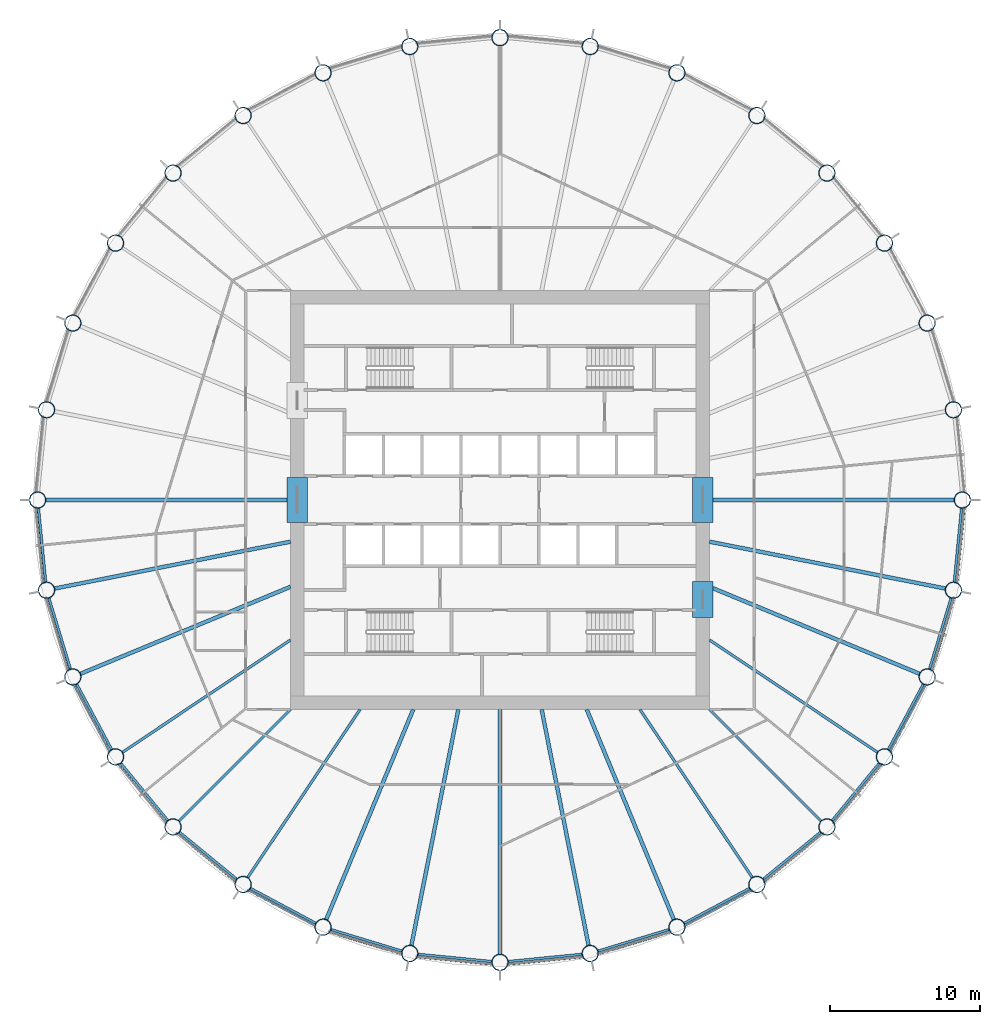
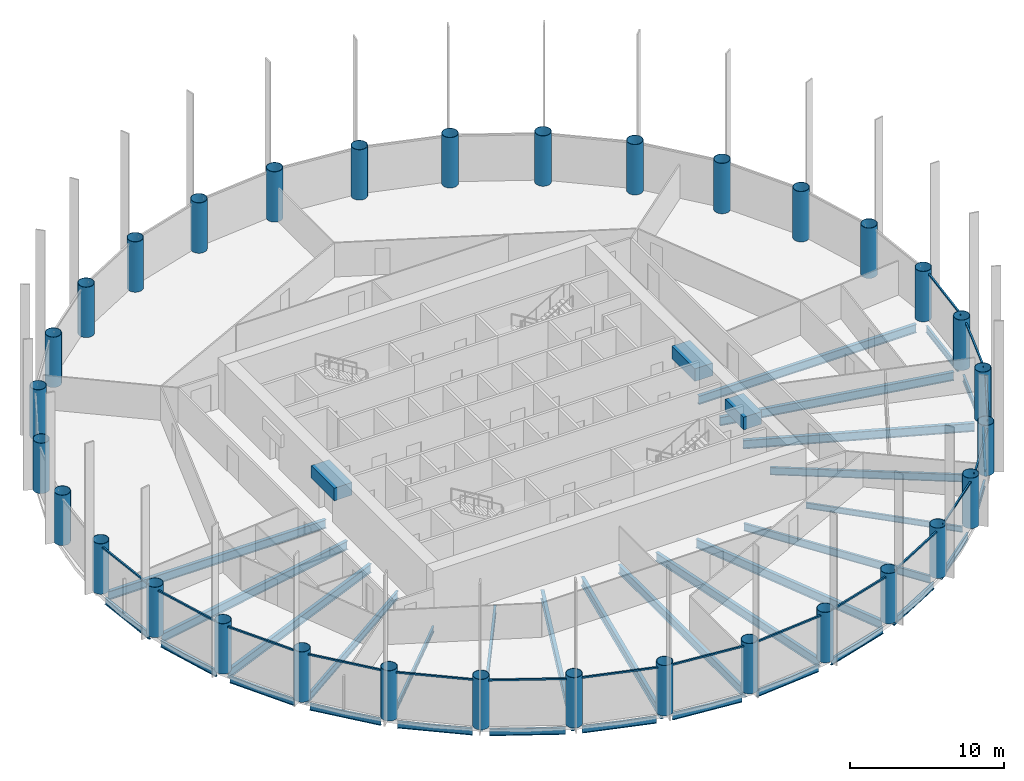
# One storey, part 1 of 8: 36 beams, 32 columns, 16 members, 16 elements without a shape of their own.
"""IFC4 building model written with IfcOpenShell, lengths in metres."""

from ifc_helpers import new_model, si_unit, direction, frame, origin, origin_2d, place, context, subcontext, project, spatial, rectangle, hollow_circle, i_section, extrude, material, material_profile, profile_set, type_object, element, aggregate, save


model = new_model("IFC4")

# Units and contexts
model_context = context("Model", 3, precision=1e-05, world=origin(), true_north=direction((0.0, 1.0)))
body_context = subcontext(model_context, "Body", "Model", "MODEL_VIEW")
ifc_project = project(units=[si_unit("LENGTHUNIT", "METRE"), si_unit("AREAUNIT", "SQUARE_METRE"), si_unit("VOLUMEUNIT", "CUBIC_METRE"), si_unit("PLANEANGLEUNIT", "RADIAN"), si_unit("MASSUNIT", "GRAM", prefix="KILO")], contexts=[model_context])

# Site, building, storey
site_placement = place(None, origin())
site = spatial("IfcSite", under=ifc_project, at=site_placement, CompositionType="ELEMENT")
building_placement = place(site_placement, origin())
building = spatial("IfcBuilding", under=site, at=building_placement, Name="Corvane Civic Tower", CompositionType="ELEMENT")
storey_placement = place(building_placement, frame((0.0, 0.0, 176.0)))
storey = spatial("IfcBuildingStorey", under=building, at=storey_placement, Name="L41", CompositionType="ELEMENT", Elevation=176.0)

# Columns
ifc_material_1 = material(Name="Steel ASTM A572 Gr 50", Category="steel")
ifc_material_profile_1 = material_profile(ifc_material_1, hollow_circle(Radius=0.550048828125, WallThickness=0.031982421875, at=origin_2d()), Name="CHS1100X32")
ifc_profile_set_1 = profile_set([ifc_material_profile_1], Name="Steel ASTM A572 Gr 50")
column_type = type_object("IfcColumnType", Name="COMPOSITE COLUMN CHS1100X32", PredefinedType="COLUMN", material=ifc_profile_set_1)
for number, where, z_axis, x_axis, name in (
    (1, (0.0, 30.89990234375, 0.0), (0.0, 0.0, 1.0), (1.0, 0.0, 0.0), "COL-L41-C01"),
    (2, (6.0283203125, 30.30615234375, 0.0), (0.0, 0.0, 1.0), (1.0, 0.0, 0.0), "COL-L41-C02"),
    (3, (11.824951171875, 28.5478515625, 0.0), (0.0, 0.0, 1.0), (1.0, 0.0, 0.0), "COL-L41-C03"),
    (4, (17.167236328125, 25.6923828125, 0.0), (0.0, 0.0, 1.0), (1.0, 0.0, 0.0), "COL-L41-C04"),
    (5, (21.849609375, 21.849609375, 0.0), (0.0, 0.0, 1.0), (1.0, 0.0, 0.0), "COL-L41-C05"),
    (6, (25.6923828125, 17.167236328125, 0.0), (0.0, 0.0, 1.0), (1.0, 0.0, 0.0), "COL-L41-C06"),
    (7, (28.5478515625, 11.824951171875, 0.0), (0.0, 0.0, 1.0), (1.0, 0.0, 0.0), "COL-L41-C07"),
    (8, (30.30615234375, 6.0283203125, 0.0), (0.0, 0.0, 1.0), (1.0, 0.0, 0.0), "COL-L41-C08"),
    (9, (30.89990234375, 0.0, 0.0), (0.0, 0.0, 1.0), (1.0, 0.0, 0.0), "COL-L41-C09"),
    (10, (30.30615234375, -6.0283203125, 0.0), (0.0, 0.0, 1.0), (1.0, 0.0, 0.0), "COL-L41-C10"),
    (11, (28.5478515625, -11.824951171875, 0.0), (0.0, 0.0, 1.0), (1.0, 0.0, 0.0), "COL-L41-C11"),
    (12, (25.6923828125, -17.167236328125, 0.0), (0.0, 0.0, 1.0), (1.0, 0.0, 0.0), "COL-L41-C12"),
    (13, (21.849609375, -21.849609375, 0.0), (0.0, 0.0, 1.0), (1.0, 0.0, 0.0), "COL-L41-C13"),
    (14, (17.167236328125, -25.6923828125, 0.0), (0.0, 0.0, 1.0), (1.0, 0.0, 0.0), "COL-L41-C14"),
    (15, (11.824951171875, -28.5478515625, 0.0), (0.0, 0.0, 1.0), (1.0, 0.0, 0.0), "COL-L41-C15"),
    (16, (6.0283203125, -30.30615234375, 0.0), (0.0, 0.0, 1.0), (1.0, 0.0, 0.0), "COL-L41-C16"),
    (17, (0.0, -30.89990234375, 0.0), (0.0, 0.0, 1.0), (1.0, 0.0, 0.0), "COL-L41-C17"),
    (18, (-6.0283203125, -30.30615234375, 0.0), (0.0, 0.0, 1.0), (1.0, 0.0, 0.0), "COL-L41-C18"),
    (19, (-11.824951171875, -28.5478515625, 0.0), (0.0, 0.0, 1.0), (1.0, 0.0, 0.0), "COL-L41-C19"),
    (20, (-17.167236328125, -25.6923828125, 0.0), (0.0, 0.0, 1.0), (1.0, 0.0, 0.0), "COL-L41-C20"),
    (21, (-21.849609375, -21.849609375, 0.0), (0.0, 0.0, 1.0), (1.0, 0.0, 0.0), "COL-L41-C21"),
    (22, (-25.6923828125, -17.167236328125, 0.0), (0.0, 0.0, 1.0), (1.0, 0.0, 0.0), "COL-L41-C22"),
    (23, (-28.5478515625, -11.824951171875, 0.0), (0.0, 0.0, 1.0), (1.0, 0.0, 0.0), "COL-L41-C23"),
    (24, (-30.30615234375, -6.0283203125, 0.0), (0.0, 0.0, 1.0), (1.0, 0.0, 0.0), "COL-L41-C24"),
    (25, (-30.89990234375, 0.0, 0.0), (0.0, 0.0, 1.0), (1.0, 0.0, 0.0), "COL-L41-C25"),
    (26, (-30.30615234375, 6.0283203125, 0.0), (0.0, 0.0, 1.0), (1.0, 0.0, 0.0), "COL-L41-C26"),
    (27, (-28.5478515625, 11.824951171875, 0.0), (0.0, 0.0, 1.0), (1.0, 0.0, 0.0), "COL-L41-C27"),
    (28, (-25.6923828125, 17.167236328125, 0.0), (0.0, 0.0, 1.0), (1.0, 0.0, 0.0), "COL-L41-C28"),
    (29, (-21.849609375, 21.849609375, 0.0), (0.0, 0.0, 1.0), (1.0, 0.0, 0.0), "COL-L41-C29"),
    (30, (-17.167236328125, 25.6923828125, 0.0), (0.0, 0.0, 1.0), (1.0, 0.0, 0.0), "COL-L41-C30"),
    (31, (-11.824951171875, 28.5478515625, 0.0), (0.0, 0.0, 1.0), (1.0, 0.0, 0.0), "COL-L41-C31"),
    (32, (-6.0283203125, 30.30615234375, 0.0), (0.0, 0.0, 1.0), (1.0, 0.0, 0.0), "COL-L41-C32"),
):
    element("IfcColumn", number, at=place(storey_placement, frame(where, z_axis=z_axis, x_axis=x_axis)), inside=storey, type_object=column_type, Name=name, PredefinedType="COLUMN", context=body_context, shape_type="SweptSolid", body=[
        extrude(hollow_circle(Radius=0.550048828125, WallThickness=0.031982421875, at=origin_2d()), origin(), (0.0, 0.0, 1.0), 4.0),
    ])

# Beams
ifc_material_2 = material(Name="Concrete C60/75", Category="concrete")
ifc_material_profile_2 = material_profile(ifc_material_2, rectangle(XDim=1.35009765625, YDim=1.0, at=origin_2d()), Name="COUPLING BEAM 1350X1000")
ifc_profile_set_2 = profile_set([ifc_material_profile_2], Name="Concrete C60/75")
beam_type_1 = type_object("IfcBeamType", Name="COUPLING BEAM COUPLING BEAM 1350X1000", PredefinedType="BEAM", material=ifc_profile_set_2)
for number, where, z_axis, x_axis, name in (
    (33, (-13.550048828125, -1.5, 2.60009765625), (0.0, 1.0, 0.0), (-1.0, 0.0, 0.0), "BM-L41-cpl-CW-LW"),
    (34, (13.550048828125, -1.5, 2.60009765625), (0.0, 1.0, 0.0), (-1.0, 0.0, 0.0), "BM-L41-cpl-CW-LE"),
):
    element("IfcBeam", number, at=place(storey_placement, frame(where, z_axis=z_axis, x_axis=x_axis)), inside=storey, type_object=beam_type_1, Name=name, PredefinedType="BEAM", context=body_context, shape_type="SweptSolid", body=[
        extrude(rectangle(XDim=1.35009765625, YDim=1.0, at=origin_2d()), origin(), (0.0, 0.0, 1.0), 3.0),
    ])
beam_1_placement = place(storey_placement, frame((13.550048828125, -7.85009765625, 2.60009765625), z_axis=(0.0, 1.0, 0.0), x_axis=(-1.0, 0.0, 0.0)))
element("IfcBeam", 35, at=beam_1_placement, inside=storey, type_object=beam_type_1, Name="BM-L41-cpl-CW-ES", PredefinedType="BEAM", context=body_context, shape_type="SweptSolid", body=[
    extrude(rectangle(XDim=1.35009765625, YDim=1.0, at=origin_2d()), origin(), (0.0, 0.0, 1.0), 2.400146484375),
])
ifc_material_3 = material(Name="Steel ASTM A992 Gr 50", Category="steel")
ifc_material_profile_3 = material_profile(ifc_material_3, i_section(OverallWidth=0.165771484375, OverallDepth=0.5283203125, WebThickness=0.009765625, FlangeThickness=0.013671875, at=origin_2d()), Name="W21X50")
ifc_profile_set_3 = profile_set([ifc_material_profile_3], Name="Steel ASTM A992 Gr 50")
beam_type_2 = type_object("IfcBeamType", Name="EDGE BEAM W21X50", PredefinedType="BEAM", material=ifc_profile_set_3)
beam_2_placement = place(storey_placement, frame((30.845947265625, -0.54736328125, -0.564208984375), z_axis=(-0.09800181167, -0.995186236294, 0.0), x_axis=(0.995186236294, -0.09800181167, 0.0)))
element("IfcBeam", 36, at=beam_2_placement, inside=storey, type_object=beam_type_2, Name="BM-L41-E09", PredefinedType="BEAM", context=body_context, shape_type="SweptSolid", body=[
    extrude(i_section(OverallWidth=0.165771484375, OverallDepth=0.5283203125, WebThickness=0.009765625, FlangeThickness=0.013671875, at=origin_2d()), origin(), (0.0, 0.0, 1.0), 4.95751953125),
])
beam_3_placement = place(storey_placement, frame((30.146484375, -6.5546875, -0.564208984375), z_axis=(-0.290269821381, -0.956944842086, 0.0), x_axis=(0.956944842086, -0.290269821381, 0.0)))
element("IfcBeam", 37, at=beam_3_placement, inside=storey, type_object=beam_type_2, Name="BM-L41-E10", PredefinedType="BEAM", context=body_context, shape_type="SweptSolid", body=[
    extrude(i_section(OverallWidth=0.165771484375, OverallDepth=0.5283203125, WebThickness=0.009765625, FlangeThickness=0.013671875, at=origin_2d()), origin(), (0.0, 0.0, 1.0), 4.957275390625),
])
for number, where, z_axis, x_axis, name in (
    (38, (28.28857421875, -12.31005859375, -0.564208984375), (-0.471395763042, -0.881921784846, 0.0), (0.881921784846, -0.471395763042, 0.0), "BM-L41-E11"),
    (39, (25.343505859375, -17.59228515625, -0.564208984375), (-0.634387546532, -0.77301516208, 0.0), (0.77301516208, -0.634387546532, 0.0), "BM-L41-E12"),
    (40, (21.424560546875, -22.198486328125, -0.564208984375), (-0.77301516208, -0.634387546532, 0.0), (0.634387546532, -0.77301516208, 0.0), "BM-L41-E13"),
    (41, (16.68212890625, -25.95166015625, -0.564208984375), (-0.881921784846, -0.471395763042, 0.0), (0.471395763042, -0.881921784846, 0.0), "BM-L41-E14"),
):
    element("IfcBeam", number, at=place(storey_placement, frame(where, z_axis=z_axis, x_axis=x_axis)), inside=storey, type_object=beam_type_2, Name=name, PredefinedType="BEAM", context=body_context, shape_type="SweptSolid", body=[
        extrude(i_section(OverallWidth=0.165771484375, OverallDepth=0.5283203125, WebThickness=0.009765625, FlangeThickness=0.013671875, at=origin_2d()), origin(), (0.0, 0.0, 1.0), 4.95751953125),
    ])
beam_4_placement = place(storey_placement, frame((11.298583984375, -28.70751953125, -0.564208984375), z_axis=(-0.956944842086, -0.290269821381, 0.0), x_axis=(0.290269821381, -0.956944842086, 0.0)))
element("IfcBeam", 42, at=beam_4_placement, inside=storey, type_object=beam_type_2, Name="BM-L41-E15", PredefinedType="BEAM", context=body_context, shape_type="SweptSolid", body=[
    extrude(i_section(OverallWidth=0.165771484375, OverallDepth=0.5283203125, WebThickness=0.009765625, FlangeThickness=0.013671875, at=origin_2d()), origin(), (0.0, 0.0, 1.0), 4.957275390625),
])
for number, where, z_axis, x_axis, name in (
    (43, (5.48095703125, -30.360107421875, -0.564208984375), (-0.995186236294, -0.09800181167, 0.0), (0.09800181167, -0.995186236294, 0.0), "BM-L41-E16"),
    (44, (-0.54736328125, -30.845947265625, -0.564208984375), (-0.995186236294, 0.09800181167, 0.0), (-0.09800181167, -0.995186236294, 0.0), "BM-L41-E17"),
):
    element("IfcBeam", number, at=place(storey_placement, frame(where, z_axis=z_axis, x_axis=x_axis)), inside=storey, type_object=beam_type_2, Name=name, PredefinedType="BEAM", context=body_context, shape_type="SweptSolid", body=[
        extrude(i_section(OverallWidth=0.165771484375, OverallDepth=0.5283203125, WebThickness=0.009765625, FlangeThickness=0.013671875, at=origin_2d()), origin(), (0.0, 0.0, 1.0), 4.95751953125),
    ])
beam_5_placement = place(storey_placement, frame((-6.5546875, -30.146484375, -0.564208984375), z_axis=(-0.956944842086, 0.290269821381, 0.0), x_axis=(-0.290269821381, -0.956944842086, 0.0)))
element("IfcBeam", 45, at=beam_5_placement, inside=storey, type_object=beam_type_2, Name="BM-L41-E18", PredefinedType="BEAM", context=body_context, shape_type="SweptSolid", body=[
    extrude(i_section(OverallWidth=0.165771484375, OverallDepth=0.5283203125, WebThickness=0.009765625, FlangeThickness=0.013671875, at=origin_2d()), origin(), (0.0, 0.0, 1.0), 4.957275390625),
])
for number, where, z_axis, x_axis, name in (
    (46, (-12.31005859375, -28.28857421875, -0.564208984375), (-0.881921784846, 0.471395763042, 0.0), (-0.471395763042, -0.881921784846, 0.0), "BM-L41-E19"),
    (47, (-17.59228515625, -25.343505859375, -0.564208984375), (-0.77301516208, 0.634387546532, 0.0), (-0.634387546532, -0.77301516208, 0.0), "BM-L41-E20"),
    (48, (-22.198486328125, -21.424560546875, -0.564208984375), (-0.634387546532, 0.77301516208, 0.0), (-0.77301516208, -0.634387546532, 0.0), "BM-L41-E21"),
    (49, (-25.95166015625, -16.68212890625, -0.564208984375), (-0.471395763042, 0.881921784846, 0.0), (-0.881921784846, -0.471395763042, 0.0), "BM-L41-E22"),
):
    element("IfcBeam", number, at=place(storey_placement, frame(where, z_axis=z_axis, x_axis=x_axis)), inside=storey, type_object=beam_type_2, Name=name, PredefinedType="BEAM", context=body_context, shape_type="SweptSolid", body=[
        extrude(i_section(OverallWidth=0.165771484375, OverallDepth=0.5283203125, WebThickness=0.009765625, FlangeThickness=0.013671875, at=origin_2d()), origin(), (0.0, 0.0, 1.0), 4.95751953125),
    ])
beam_6_placement = place(storey_placement, frame((-28.70751953125, -11.298583984375, -0.564208984375), z_axis=(-0.290269821381, 0.956944842086, 0.0), x_axis=(-0.956944842086, -0.290269821381, 0.0)))
element("IfcBeam", 50, at=beam_6_placement, inside=storey, type_object=beam_type_2, Name="BM-L41-E23", PredefinedType="BEAM", context=body_context, shape_type="SweptSolid", body=[
    extrude(i_section(OverallWidth=0.165771484375, OverallDepth=0.5283203125, WebThickness=0.009765625, FlangeThickness=0.013671875, at=origin_2d()), origin(), (0.0, 0.0, 1.0), 4.957275390625),
])
beam_7_placement = place(storey_placement, frame((-30.360107421875, -5.48095703125, -0.564208984375), z_axis=(-0.09800181167, 0.995186236294, 0.0), x_axis=(-0.995186236294, -0.09800181167, 0.0)))
element("IfcBeam", 51, at=beam_7_placement, inside=storey, type_object=beam_type_2, Name="BM-L41-E24", PredefinedType="BEAM", context=body_context, shape_type="SweptSolid", body=[
    extrude(i_section(OverallWidth=0.165771484375, OverallDepth=0.5283203125, WebThickness=0.009765625, FlangeThickness=0.013671875, at=origin_2d()), origin(), (0.0, 0.0, 1.0), 4.95751953125),
])
ifc_material_4 = material(Name="Steel ASTM A992 Gr 50", Category="steel")
ifc_material_profile_4 = material_profile(ifc_material_4, i_section(OverallWidth=0.15283203125, OverallDepth=0.45458984375, WebThickness=0.008056640625, FlangeThickness=0.013427734375, at=origin_2d()), Name="W18X40")
ifc_profile_set_4 = profile_set([ifc_material_profile_4], Name="Steel ASTM A992 Gr 50")
beam_type_3 = type_object("IfcBeamType", Name="FLOOR GIRDER W18X40", PredefinedType="BEAM", material=ifc_profile_set_4)
for number, where, z_axis, x_axis, name in (
    (52, (14.0, -14.0, -0.52734375), (0.707106781187, -0.707106781187, 0.0), (0.707106781187, 0.707106781187, 0.0), "BM-L41-G13"),
    (53, (-14.0, -14.0, -0.52734375), (-0.707106781187, -0.707106781187, 0.0), (0.707106781187, -0.707106781187, 0.0), "BM-L41-G21"),
):
    element("IfcBeam", number, at=place(storey_placement, frame(where, z_axis=z_axis, x_axis=x_axis)), inside=storey, type_object=beam_type_3, Name=name, PredefinedType="BEAM", context=body_context, shape_type="SweptSolid", body=[
        extrude(i_section(OverallWidth=0.15283203125, OverallDepth=0.45458984375, WebThickness=0.008056640625, FlangeThickness=0.013427734375, at=origin_2d()), origin(), (0.0, 0.0, 1.0), 10.551025390625),
    ])
ifc_material_5 = material(Name="Steel ASTM A992 Gr 50", Category="steel")
ifc_material_profile_5 = material_profile(ifc_material_5, i_section(OverallWidth=0.177978515625, OverallDepth=0.599365234375, WebThickness=0.010009765625, FlangeThickness=0.012939453125, at=origin_2d()), Name="W24X55")
ifc_profile_set_5 = profile_set([ifc_material_profile_5], Name="Steel ASTM A992 Gr 50")
beam_type_4 = type_object("IfcBeamType", Name="FLOOR GIRDER W24X55", PredefinedType="BEAM", material=ifc_profile_set_5)
for number, where, z_axis, x_axis, name in (
    (54, (14.0, -9.3544921875, -0.599609375), (0.83146888399, -0.555571323015, 0.0), (0.555571323015, 0.83146888399, 0.0), "BM-L41-G12"),
    (55, (9.3544921875, -14.0, -0.599609375), (0.555571323015, -0.83146888399, 0.0), (0.83146888399, 0.555571323015, 0.0), "BM-L41-G14"),
    (56, (-9.3544921875, -14.0, -0.599609375), (-0.555571323015, -0.83146888399, 0.0), (0.83146888399, -0.555571323015, 0.0), "BM-L41-G20"),
    (57, (-14.0, -9.3544921875, -0.599609375), (-0.83146888399, -0.555571323015, 0.0), (0.555571323015, -0.83146888399, 0.0), "BM-L41-G22"),
):
    element("IfcBeam", number, at=place(storey_placement, frame(where, z_axis=z_axis, x_axis=x_axis)), inside=storey, type_object=beam_type_4, Name=name, PredefinedType="BEAM", context=body_context, shape_type="SweptSolid", body=[
        extrude(i_section(OverallWidth=0.177978515625, OverallDepth=0.599365234375, WebThickness=0.010009765625, FlangeThickness=0.012939453125, at=origin_2d()), origin(), (0.0, 0.0, 1.0), 13.512451171875),
    ])
ifc_material_6 = material(Name="Steel ASTM A992 Gr 50", Category="steel")
ifc_material_profile_6 = material_profile(ifc_material_6, i_section(OverallWidth=0.25390625, OverallDepth=0.67822265625, WebThickness=0.01171875, FlangeThickness=0.016357421875, at=origin_2d()), Name="W27X84")
ifc_profile_set_6 = profile_set([ifc_material_profile_6], Name="Steel ASTM A992 Gr 50")
beam_type_5 = type_object("IfcBeamType", Name="FLOOR GIRDER W27X84", PredefinedType="BEAM", material=ifc_profile_set_6)
beam_8_placement = place(storey_placement, frame((14.0, 0.0, -0.63916015625), z_axis=(1.0, 0.0, 0.0), x_axis=(0.0, 1.0, 0.0)))
element("IfcBeam", 58, at=beam_8_placement, inside=storey, type_object=beam_type_5, Name="BM-L41-G09", PredefinedType="BEAM", context=body_context, shape_type="SweptSolid", body=[
    extrude(i_section(OverallWidth=0.25390625, OverallDepth=0.67822265625, WebThickness=0.01171875, FlangeThickness=0.016357421875, at=origin_2d()), origin(), (0.0, 0.0, 1.0), 16.35009765625),
])
beam_9_placement = place(storey_placement, frame((14.0, -2.78466796875, -0.63916015625), z_axis=(0.980785162999, -0.195090912248, 0.0), x_axis=(0.195090912248, 0.980785162999, 0.0)))
element("IfcBeam", 59, at=beam_9_placement, inside=storey, type_object=beam_type_5, Name="BM-L41-G10", PredefinedType="BEAM", context=body_context, shape_type="SweptSolid", body=[
    extrude(i_section(OverallWidth=0.25390625, OverallDepth=0.67822265625, WebThickness=0.01171875, FlangeThickness=0.016357421875, at=origin_2d()), origin(), (0.0, 0.0, 1.0), 16.07568359375),
])
for number, where, z_axis, x_axis, name in (
    (60, (14.0, -5.799072265625, -0.63916015625), (0.923880551114, -0.38268097323, 0.0), (0.38268097323, 0.923880551114, 0.0), "BM-L41-G11"),
    (61, (5.799072265625, -14.0, -0.63916015625), (0.38268097323, -0.923880551114, 0.0), (0.923880551114, 0.38268097323, 0.0), "BM-L41-G15"),
):
    element("IfcBeam", number, at=place(storey_placement, frame(where, z_axis=z_axis, x_axis=x_axis)), inside=storey, type_object=beam_type_5, Name=name, PredefinedType="BEAM", context=body_context, shape_type="SweptSolid", body=[
        extrude(i_section(OverallWidth=0.25390625, OverallDepth=0.67822265625, WebThickness=0.01171875, FlangeThickness=0.016357421875, at=origin_2d()), origin(), (0.0, 0.0, 1.0), 15.196533203125),
    ])
beam_10_placement = place(storey_placement, frame((2.78466796875, -14.0, -0.63916015625), z_axis=(0.195090912248, -0.980785162999, 0.0), x_axis=(0.980785162999, 0.195090912248, 0.0)))
element("IfcBeam", 62, at=beam_10_placement, inside=storey, type_object=beam_type_5, Name="BM-L41-G16", PredefinedType="BEAM", context=body_context, shape_type="SweptSolid", body=[
    extrude(i_section(OverallWidth=0.25390625, OverallDepth=0.67822265625, WebThickness=0.01171875, FlangeThickness=0.016357421875, at=origin_2d()), origin(), (0.0, 0.0, 1.0), 16.07568359375),
])
beam_11_placement = place(storey_placement, frame((0.0, -14.0, -0.63916015625), z_axis=(0.0, -1.0, 0.0), x_axis=(1.0, 0.0, 0.0)))
element("IfcBeam", 63, at=beam_11_placement, inside=storey, type_object=beam_type_5, Name="BM-L41-G17", PredefinedType="BEAM", context=body_context, shape_type="SweptSolid", body=[
    extrude(i_section(OverallWidth=0.25390625, OverallDepth=0.67822265625, WebThickness=0.01171875, FlangeThickness=0.016357421875, at=origin_2d()), origin(), (0.0, 0.0, 1.0), 16.35009765625),
])
beam_12_placement = place(storey_placement, frame((-2.78466796875, -14.0, -0.63916015625), z_axis=(-0.195090912248, -0.980785162999, 0.0), x_axis=(0.980785162999, -0.195090912248, 0.0)))
element("IfcBeam", 64, at=beam_12_placement, inside=storey, type_object=beam_type_5, Name="BM-L41-G18", PredefinedType="BEAM", context=body_context, shape_type="SweptSolid", body=[
    extrude(i_section(OverallWidth=0.25390625, OverallDepth=0.67822265625, WebThickness=0.01171875, FlangeThickness=0.016357421875, at=origin_2d()), origin(), (0.0, 0.0, 1.0), 16.07568359375),
])
for number, where, z_axis, x_axis, name in (
    (65, (-5.799072265625, -14.0, -0.63916015625), (-0.38268097323, -0.923880551114, 0.0), (0.923880551114, -0.38268097323, 0.0), "BM-L41-G19"),
    (66, (-14.0, -5.799072265625, -0.63916015625), (-0.923880551114, -0.38268097323, 0.0), (0.38268097323, -0.923880551114, 0.0), "BM-L41-G23"),
):
    element("IfcBeam", number, at=place(storey_placement, frame(where, z_axis=z_axis, x_axis=x_axis)), inside=storey, type_object=beam_type_5, Name=name, PredefinedType="BEAM", context=body_context, shape_type="SweptSolid", body=[
        extrude(i_section(OverallWidth=0.25390625, OverallDepth=0.67822265625, WebThickness=0.01171875, FlangeThickness=0.016357421875, at=origin_2d()), origin(), (0.0, 0.0, 1.0), 15.196533203125),
    ])
beam_13_placement = place(storey_placement, frame((-14.0, -2.78466796875, -0.63916015625), z_axis=(-0.980785162999, -0.195090912248, 0.0), x_axis=(0.195090912248, -0.980785162999, 0.0)))
element("IfcBeam", 67, at=beam_13_placement, inside=storey, type_object=beam_type_5, Name="BM-L41-G24", PredefinedType="BEAM", context=body_context, shape_type="SweptSolid", body=[
    extrude(i_section(OverallWidth=0.25390625, OverallDepth=0.67822265625, WebThickness=0.01171875, FlangeThickness=0.016357421875, at=origin_2d()), origin(), (0.0, 0.0, 1.0), 16.07568359375),
])
beam_14_placement = place(storey_placement, frame((-14.0, 0.0, -0.63916015625), z_axis=(-1.0, 0.0, 0.0), x_axis=(0.0, -1.0, 0.0)))
element("IfcBeam", 68, at=beam_14_placement, inside=storey, type_object=beam_type_5, Name="BM-L41-G25", PredefinedType="BEAM", context=body_context, shape_type="SweptSolid", body=[
    extrude(i_section(OverallWidth=0.25390625, OverallDepth=0.67822265625, WebThickness=0.01171875, FlangeThickness=0.016357421875, at=origin_2d()), origin(), (0.0, 0.0, 1.0), 16.35009765625),
])

# Curtain wall, member
ifc_material_7 = material(Name="Anodised aluminium bronze", Category="aluminium")
curtain_wall_type = type_object("IfcCurtainWallType", Name="TOWER CW-T2 STICK CURTAIN WALL", PredefinedType="NOTDEFINED", material=ifc_material_7)
curtain_wall_1_placement = place(storey_placement, origin())
curtain_wall_1 = element("IfcCurtainWall", 69, at=curtain_wall_1_placement, inside=storey, type_object=curtain_wall_type, Name="Curtain wall CW-T2 L41 bay 09", PredefinedType="NOTDEFINED")
ifc_material_8 = material(Name="Anodised aluminium bronze", Category="aluminium")
ifc_material_profile_7 = material_profile(ifc_material_8, rectangle(XDim=0.1201171875, YDim=0.1201171875, at=origin_2d()), Name="TOWER CW-T2 TRANSOM 120x120")
ifc_profile_set_7 = profile_set([ifc_material_profile_7], Name="Anodised aluminium bronze")
member_type = type_object("IfcMemberType", Name="TOWER CW-T2 TRANSOM 120x120", PredefinedType="USERDEFINED", material=ifc_profile_set_7)
member_1_placement = place(storey_placement, frame((31.0302734375, -0.505126953125, 3.68994140625), z_axis=(-0.097989755963, -0.995187423416, 0.0), x_axis=(0.995187423416, -0.097989755963, 0.0)))
member_1 = element("IfcMember", 70, at=member_1_placement, type_object=member_type, Name="Transom CW-T2 L41 09.1", ObjectType="TRANSOM", PredefinedType="USERDEFINED", context=body_context, shape_type="SweptSolid", body=[
    extrude(rectangle(XDim=0.1201171875, YDim=0.1201171875, at=origin_2d()), origin(), (0.0, 0.0, 1.0), 5.07763671875),
])
aggregate(curtain_wall_1, [member_1])

curtain_wall_2_placement = place(storey_placement, origin())
curtain_wall_2 = element("IfcCurtainWall", 71, at=curtain_wall_2_placement, inside=storey, type_object=curtain_wall_type, Name="Curtain wall CW-T2 L41 bay 10", PredefinedType="NOTDEFINED")
member_2_placement = place(storey_placement, frame((30.33544921875, -6.54931640625, 3.68994140625), z_axis=(-0.290288977061, -0.956939031389, 0.0), x_axis=(0.956939031389, -0.290288977061, 0.0)))
member_2 = element("IfcMember", 72, at=member_2_placement, type_object=member_type, Name="Transom CW-T2 L41 10.1", ObjectType="TRANSOM", PredefinedType="USERDEFINED", context=body_context, shape_type="SweptSolid", body=[
    extrude(rectangle(XDim=0.1201171875, YDim=0.1201171875, at=origin_2d()), origin(), (0.0, 0.0, 1.0), 5.077392578125),
])
aggregate(curtain_wall_2, [member_2])

curtain_wall_3_placement = place(storey_placement, origin())
curtain_wall_3 = element("IfcCurtainWall", 73, at=curtain_wall_3_placement, inside=storey, type_object=curtain_wall_type, Name="Curtain wall CW-T2 L41 bay 11", PredefinedType="NOTDEFINED")
member_3_placement = place(storey_placement, frame((28.474853515625, -12.341552734375, 3.68994140625), z_axis=(-0.471396615074, -0.881921329426, 0.0), x_axis=(0.881921329426, -0.471396615074, 0.0)))
member_3 = element("IfcMember", 74, at=member_3_placement, type_object=member_type, Name="Transom CW-T2 L41 11.1", ObjectType="TRANSOM", PredefinedType="USERDEFINED", context=body_context, shape_type="SweptSolid", body=[
    extrude(rectangle(XDim=0.1201171875, YDim=0.1201171875, at=origin_2d()), origin(), (0.0, 0.0, 1.0), 5.07763671875),
])
aggregate(curtain_wall_3, [member_3])

curtain_wall_4_placement = place(storey_placement, origin())
curtain_wall_4 = element("IfcCurtainWall", 75, at=curtain_wall_4_placement, inside=storey, type_object=curtain_wall_type, Name="Curtain wall CW-T2 L41 bay 12", PredefinedType="NOTDEFINED")
member_4_placement = place(storey_placement, frame((25.519775390625, -17.65966796875, 3.68994140625), z_axis=(-0.634386611146, -0.773015929719, 0.0), x_axis=(0.773015929719, -0.634386611146, 0.0)))
member_4 = element("IfcMember", 76, at=member_4_placement, type_object=member_type, Name="Transom CW-T2 L41 12.1", ObjectType="TRANSOM", PredefinedType="USERDEFINED", context=body_context, shape_type="SweptSolid", body=[
    extrude(rectangle(XDim=0.1201171875, YDim=0.1201171875, at=origin_2d()), origin(), (0.0, 0.0, 1.0), 5.0771484375),
])
aggregate(curtain_wall_4, [member_4])

curtain_wall_5_placement = place(storey_placement, origin())
curtain_wall_5 = element("IfcCurtainWall", 77, at=curtain_wall_5_placement, inside=storey, type_object=curtain_wall_type, Name="Curtain wall CW-T2 L41 bay 13", PredefinedType="NOTDEFINED")
member_5_placement = place(storey_placement, frame((21.58447265625, -22.298828125, 3.68994140625), z_axis=(-0.773015929719, -0.634386611146, 0.0), x_axis=(0.634386611146, -0.773015929719, 0.0)))
member_5 = element("IfcMember", 78, at=member_5_placement, type_object=member_type, Name="Transom CW-T2 L41 13.1", ObjectType="TRANSOM", PredefinedType="USERDEFINED", context=body_context, shape_type="SweptSolid", body=[
    extrude(rectangle(XDim=0.1201171875, YDim=0.1201171875, at=origin_2d()), origin(), (0.0, 0.0, 1.0), 5.0771484375),
])
aggregate(curtain_wall_5, [member_5])

curtain_wall_6_placement = place(storey_placement, origin())
curtain_wall_6 = element("IfcCurtainWall", 79, at=curtain_wall_6_placement, inside=storey, type_object=curtain_wall_type, Name="Curtain wall CW-T2 L41 bay 14", PredefinedType="NOTDEFINED")
member_6_placement = place(storey_placement, frame((16.819580078125, -26.081298828125, 3.68994140625), z_axis=(-0.881921329426, -0.471396615074, 0.0), x_axis=(0.471396615074, -0.881921329426, 0.0)))
member_6 = element("IfcMember", 80, at=member_6_placement, type_object=member_type, Name="Transom CW-T2 L41 14.1", ObjectType="TRANSOM", PredefinedType="USERDEFINED", context=body_context, shape_type="SweptSolid", body=[
    extrude(rectangle(XDim=0.1201171875, YDim=0.1201171875, at=origin_2d()), origin(), (0.0, 0.0, 1.0), 5.07763671875),
])
aggregate(curtain_wall_6, [member_6])

curtain_wall_7_placement = place(storey_placement, origin())
curtain_wall_7 = element("IfcCurtainWall", 81, at=curtain_wall_7_placement, inside=storey, type_object=curtain_wall_type, Name="Curtain wall CW-T2 L41 bay 15", PredefinedType="NOTDEFINED")
member_7_placement = place(storey_placement, frame((11.407958984375, -28.861572265625, 3.68994140625), z_axis=(-0.956939031389, -0.290288977061, 0.0), x_axis=(0.290288977061, -0.956939031389, 0.0)))
member_7 = element("IfcMember", 82, at=member_7_placement, type_object=member_type, Name="Transom CW-T2 L41 15.1", ObjectType="TRANSOM", PredefinedType="USERDEFINED", context=body_context, shape_type="SweptSolid", body=[
    extrude(rectangle(XDim=0.1201171875, YDim=0.1201171875, at=origin_2d()), origin(), (0.0, 0.0, 1.0), 5.077392578125),
])
aggregate(curtain_wall_7, [member_7])

curtain_wall_8_placement = place(storey_placement, origin())
curtain_wall_8 = element("IfcCurtainWall", 83, at=curtain_wall_8_placement, inside=storey, type_object=curtain_wall_type, Name="Curtain wall CW-T2 L41 bay 16", PredefinedType="NOTDEFINED")
member_8_placement = place(storey_placement, frame((5.558349609375, -30.53271484375, 3.68994140625), z_axis=(-0.995187423416, -0.097989755963, 0.0), x_axis=(0.097989755963, -0.995187423416, 0.0)))
member_8 = element("IfcMember", 84, at=member_8_placement, type_object=member_type, Name="Transom CW-T2 L41 16.1", ObjectType="TRANSOM", PredefinedType="USERDEFINED", context=body_context, shape_type="SweptSolid", body=[
    extrude(rectangle(XDim=0.1201171875, YDim=0.1201171875, at=origin_2d()), origin(), (0.0, 0.0, 1.0), 5.07763671875),
])
aggregate(curtain_wall_8, [member_8])

curtain_wall_9_placement = place(storey_placement, origin())
curtain_wall_9 = element("IfcCurtainWall", 85, at=curtain_wall_9_placement, inside=storey, type_object=curtain_wall_type, Name="Curtain wall CW-T2 L41 bay 17", PredefinedType="NOTDEFINED")
member_9_placement = place(storey_placement, frame((-0.505126953125, -31.0302734375, 3.68994140625), z_axis=(-0.995187423416, 0.097989755963, 0.0), x_axis=(-0.097989755963, -0.995187423416, 0.0)))
member_9 = element("IfcMember", 86, at=member_9_placement, type_object=member_type, Name="Transom CW-T2 L41 17.1", ObjectType="TRANSOM", PredefinedType="USERDEFINED", context=body_context, shape_type="SweptSolid", body=[
    extrude(rectangle(XDim=0.1201171875, YDim=0.1201171875, at=origin_2d()), origin(), (0.0, 0.0, 1.0), 5.07763671875),
])
aggregate(curtain_wall_9, [member_9])

curtain_wall_10_placement = place(storey_placement, origin())
curtain_wall_10 = element("IfcCurtainWall", 87, at=curtain_wall_10_placement, inside=storey, type_object=curtain_wall_type, Name="Curtain wall CW-T2 L41 bay 18", PredefinedType="NOTDEFINED")
member_10_placement = place(storey_placement, frame((-6.54931640625, -30.33544921875, 3.68994140625), z_axis=(-0.956939031389, 0.290288977061, 0.0), x_axis=(-0.290288977061, -0.956939031389, 0.0)))
member_10 = element("IfcMember", 88, at=member_10_placement, type_object=member_type, Name="Transom CW-T2 L41 18.1", ObjectType="TRANSOM", PredefinedType="USERDEFINED", context=body_context, shape_type="SweptSolid", body=[
    extrude(rectangle(XDim=0.1201171875, YDim=0.1201171875, at=origin_2d()), origin(), (0.0, 0.0, 1.0), 5.077392578125),
])
aggregate(curtain_wall_10, [member_10])

curtain_wall_11_placement = place(storey_placement, origin())
curtain_wall_11 = element("IfcCurtainWall", 89, at=curtain_wall_11_placement, inside=storey, type_object=curtain_wall_type, Name="Curtain wall CW-T2 L41 bay 19", PredefinedType="NOTDEFINED")
member_11_placement = place(storey_placement, frame((-12.341552734375, -28.474853515625, 3.68994140625), z_axis=(-0.881921329426, 0.471396615074, 0.0), x_axis=(-0.471396615074, -0.881921329426, 0.0)))
member_11 = element("IfcMember", 90, at=member_11_placement, type_object=member_type, Name="Transom CW-T2 L41 19.1", ObjectType="TRANSOM", PredefinedType="USERDEFINED", context=body_context, shape_type="SweptSolid", body=[
    extrude(rectangle(XDim=0.1201171875, YDim=0.1201171875, at=origin_2d()), origin(), (0.0, 0.0, 1.0), 5.07763671875),
])
aggregate(curtain_wall_11, [member_11])

curtain_wall_12_placement = place(storey_placement, origin())
curtain_wall_12 = element("IfcCurtainWall", 91, at=curtain_wall_12_placement, inside=storey, type_object=curtain_wall_type, Name="Curtain wall CW-T2 L41 bay 20", PredefinedType="NOTDEFINED")
member_12_placement = place(storey_placement, frame((-17.65966796875, -25.519775390625, 3.68994140625), z_axis=(-0.773015929719, 0.634386611146, 0.0), x_axis=(-0.634386611146, -0.773015929719, 0.0)))
member_12 = element("IfcMember", 92, at=member_12_placement, type_object=member_type, Name="Transom CW-T2 L41 20.1", ObjectType="TRANSOM", PredefinedType="USERDEFINED", context=body_context, shape_type="SweptSolid", body=[
    extrude(rectangle(XDim=0.1201171875, YDim=0.1201171875, at=origin_2d()), origin(), (0.0, 0.0, 1.0), 5.0771484375),
])
aggregate(curtain_wall_12, [member_12])

curtain_wall_13_placement = place(storey_placement, origin())
curtain_wall_13 = element("IfcCurtainWall", 93, at=curtain_wall_13_placement, inside=storey, type_object=curtain_wall_type, Name="Curtain wall CW-T2 L41 bay 21", PredefinedType="NOTDEFINED")
member_13_placement = place(storey_placement, frame((-22.298828125, -21.58447265625, 3.68994140625), z_axis=(-0.634386611146, 0.773015929719, 0.0), x_axis=(-0.773015929719, -0.634386611146, 0.0)))
member_13 = element("IfcMember", 94, at=member_13_placement, type_object=member_type, Name="Transom CW-T2 L41 21.1", ObjectType="TRANSOM", PredefinedType="USERDEFINED", context=body_context, shape_type="SweptSolid", body=[
    extrude(rectangle(XDim=0.1201171875, YDim=0.1201171875, at=origin_2d()), origin(), (0.0, 0.0, 1.0), 5.0771484375),
])
aggregate(curtain_wall_13, [member_13])

curtain_wall_14_placement = place(storey_placement, origin())
curtain_wall_14 = element("IfcCurtainWall", 95, at=curtain_wall_14_placement, inside=storey, type_object=curtain_wall_type, Name="Curtain wall CW-T2 L41 bay 22", PredefinedType="NOTDEFINED")
member_14_placement = place(storey_placement, frame((-26.081298828125, -16.819580078125, 3.68994140625), z_axis=(-0.471396615074, 0.881921329426, 0.0), x_axis=(-0.881921329426, -0.471396615074, 0.0)))
member_14 = element("IfcMember", 96, at=member_14_placement, type_object=member_type, Name="Transom CW-T2 L41 22.1", ObjectType="TRANSOM", PredefinedType="USERDEFINED", context=body_context, shape_type="SweptSolid", body=[
    extrude(rectangle(XDim=0.1201171875, YDim=0.1201171875, at=origin_2d()), origin(), (0.0, 0.0, 1.0), 5.07763671875),
])
aggregate(curtain_wall_14, [member_14])

curtain_wall_15_placement = place(storey_placement, origin())
curtain_wall_15 = element("IfcCurtainWall", 97, at=curtain_wall_15_placement, inside=storey, type_object=curtain_wall_type, Name="Curtain wall CW-T2 L41 bay 23", PredefinedType="NOTDEFINED")
member_15_placement = place(storey_placement, frame((-28.861572265625, -11.407958984375, 3.68994140625), z_axis=(-0.290288977061, 0.956939031389, 0.0), x_axis=(-0.956939031389, -0.290288977061, 0.0)))
member_15 = element("IfcMember", 98, at=member_15_placement, type_object=member_type, Name="Transom CW-T2 L41 23.1", ObjectType="TRANSOM", PredefinedType="USERDEFINED", context=body_context, shape_type="SweptSolid", body=[
    extrude(rectangle(XDim=0.1201171875, YDim=0.1201171875, at=origin_2d()), origin(), (0.0, 0.0, 1.0), 5.077392578125),
])
aggregate(curtain_wall_15, [member_15])

curtain_wall_16_placement = place(storey_placement, origin())
curtain_wall_16 = element("IfcCurtainWall", 99, at=curtain_wall_16_placement, inside=storey, type_object=curtain_wall_type, Name="Curtain wall CW-T2 L41 bay 24", PredefinedType="NOTDEFINED")
member_16_placement = place(storey_placement, frame((-30.53271484375, -5.558349609375, 3.68994140625), z_axis=(-0.097989755963, 0.995187423416, 0.0), x_axis=(-0.995187423416, -0.097989755963, 0.0)))
member_16 = element("IfcMember", 100, at=member_16_placement, type_object=member_type, Name="Transom CW-T2 L41 24.1", ObjectType="TRANSOM", PredefinedType="USERDEFINED", context=body_context, shape_type="SweptSolid", body=[
    extrude(rectangle(XDim=0.1201171875, YDim=0.1201171875, at=origin_2d()), origin(), (0.0, 0.0, 1.0), 5.07763671875),
])
aggregate(curtain_wall_16, [member_16])

save(model, "model.ifc")
